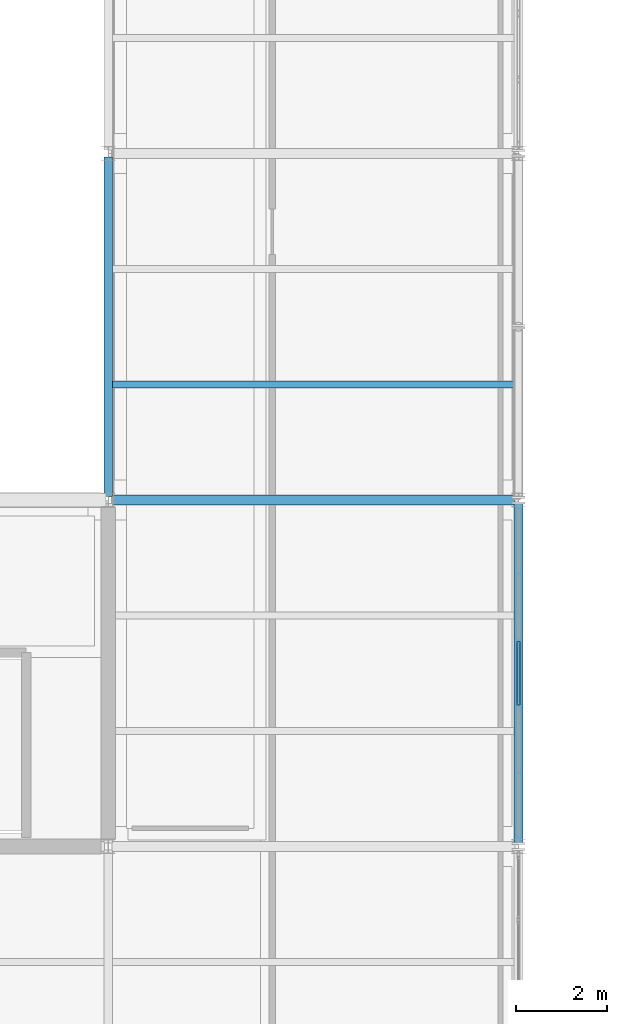
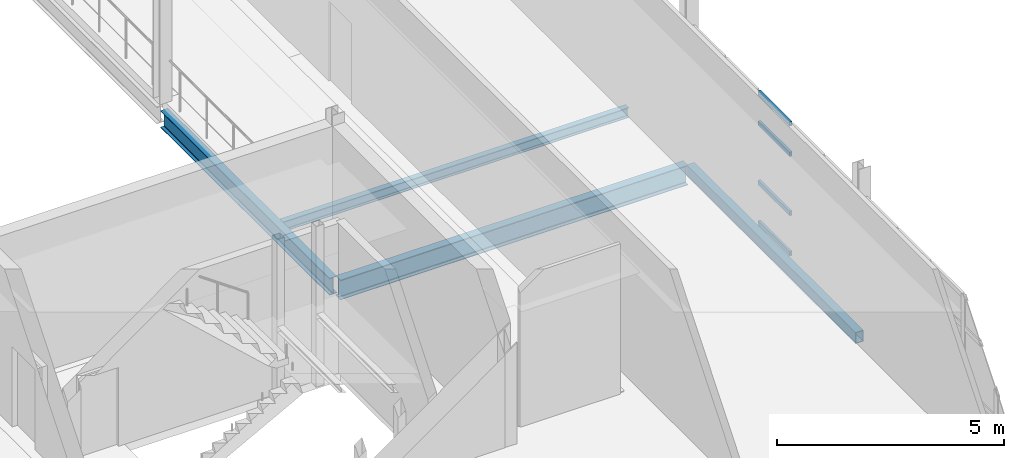
# One storey, part 114 of 166: 4 beams, 4 members, 1 element without a shape of its own.
"""IFC4 building model written with IfcOpenShell, lengths in metres."""

from ifc_helpers import new_model, si_unit, direction, frame, origin, origin_2d, place, context, subcontext, project, spatial, hollow_rectangle, i_section, extrude, material, material_profile, profile_set, type_object, element, aggregate, save


model = new_model("IFC4")

# Units and contexts
model_context = context("Model", 3, precision=1e-05, world=origin(), true_north=direction((0.0, 1.0)))
body_context = subcontext(model_context, "Body", "Model", "MODEL_VIEW")
ifc_project = project(units=[si_unit("LENGTHUNIT", "METRE"), si_unit("AREAUNIT", "SQUARE_METRE"), si_unit("VOLUMEUNIT", "CUBIC_METRE"), si_unit("PLANEANGLEUNIT", "RADIAN"), si_unit("MASSUNIT", "GRAM", prefix="KILO")], contexts=[model_context])

# Site, building, storey
site_placement = place(None, origin())
site = spatial("IfcSite", under=ifc_project, at=site_placement, CompositionType="ELEMENT")
building_placement = place(site_placement, origin())
building = spatial("IfcBuilding", under=site, at=building_placement, Name="Caisbarro Railhouse Central Library", CompositionType="ELEMENT")
storey_placement = place(building_placement, frame((0.0, 0.0, 9.360107421875)))
storey = spatial("IfcBuildingStorey", under=building, at=storey_placement, Name="L02", CompositionType="ELEMENT", Elevation=9.360107421875)

# Beams
ifc_material_1 = material(Name="Steel ASTM A572 Grade 50", Category="steel")
ifc_material_profile_1 = material_profile(ifc_material_1, i_section(OverallWidth=0.208984375, OverallDepth=0.532958984375, WebThickness=0.01025390625, FlangeThickness=0.015625, FilletRadius=0.02001953125, at=origin_2d()), Name="W530X92.0")
ifc_profile_set_1 = profile_set([ifc_material_profile_1], Name="Steel ASTM A572 Grade 50")
beam_type_1 = type_object("IfcBeamType", Name="BM-G06", PredefinedType="BEAM", material=ifc_profile_set_1)
beam_1_placement = place(storey_placement, frame((144.080078125, 76.0, -0.486572265625), z_axis=(1.0, 0.0, 0.0), x_axis=(0.0, 1.0, 0.0)))
element("IfcBeam", 1, at=beam_1_placement, inside=storey, type_object=beam_type_1, Name="G06 beam L02 #1487", PredefinedType="BEAM", context=body_context, shape_type="SweptSolid", body=[
    extrude(i_section(OverallWidth=0.208984375, OverallDepth=0.532958984375, WebThickness=0.01025390625, FlangeThickness=0.015625, FilletRadius=0.02001953125, at=origin_2d()), origin(), (0.0, 0.0, 1.0), 8.83984375),
])
ifc_material_profile_2 = material_profile(ifc_material_1, i_section(OverallWidth=0.18994140625, OverallDepth=0.45703125, WebThickness=0.009033203125, FlangeThickness=0.014404296875, FilletRadius=0.01806640625, at=origin_2d()), Name="W460X74.0")
ifc_profile_set_2 = profile_set([ifc_material_profile_2], Name="Steel ASTM A572 Grade 50")
beam_type_2 = type_object("IfcBeamType", Name="BM-G08", PredefinedType="BEAM", material=ifc_profile_set_2)
beam_2_placement = place(storey_placement, frame((144.0, 76.080078125, -0.448486328125), z_axis=(0.0, 1.0, 0.0), x_axis=(-1.0, 0.0, 0.0)))
element("IfcBeam", 2, at=beam_2_placement, inside=storey, type_object=beam_type_2, Name="G08 beam L02 #1527", PredefinedType="BEAM", context=body_context, shape_type="SweptSolid", body=[
    extrude(i_section(OverallWidth=0.18994140625, OverallDepth=0.45703125, WebThickness=0.009033203125, FlangeThickness=0.014404296875, FilletRadius=0.01806640625, at=origin_2d()), origin(), (0.0, 0.0, 1.0), 7.43994140625),
])
ifc_material_profile_3 = material_profile(ifc_material_1, i_section(OverallWidth=0.14794921875, OverallDepth=0.26611328125, WebThickness=0.007568359375, FlangeThickness=0.012939453125, FilletRadius=0.010009765625, at=origin_2d()), Name="W250X44.8")
ifc_profile_set_3 = profile_set([ifc_material_profile_3], Name="Steel ASTM A572 Grade 50")
beam_type_3 = type_object("IfcBeamType", Name="BM-J04", PredefinedType="JOIST", material=ifc_profile_set_3)
beam_3_placement = place(storey_placement, frame((144.094970703125, 78.533203125, -0.35302734375), z_axis=(1.0, 0.0, 0.0), x_axis=(0.0, 1.0, 0.0)))
element("IfcBeam", 3, at=beam_3_placement, inside=storey, type_object=beam_type_3, Name="J04 beam L02 #1573", PredefinedType="JOIST", context=body_context, shape_type="SweptSolid", body=[
    extrude(i_section(OverallWidth=0.14794921875, OverallDepth=0.26611328125, WebThickness=0.007568359375, FlangeThickness=0.012939453125, FilletRadius=0.010009765625, at=origin_2d()), origin(), (0.0, 0.0, 1.0), 8.804931640625),
])
ifc_material_profile_4 = material_profile(ifc_material_1, hollow_rectangle(XDim=0.199951171875, YDim=0.300048828125, WallThickness=0.012451171875, at=origin_2d()), Name="HSS300X200X12.5")
ifc_profile_set_4 = profile_set([ifc_material_profile_4], Name="Steel ASTM A572 Grade 50")
beam_type_4 = type_object("IfcBeamType", Name="BM-SP02", PredefinedType="SPANDREL", material=ifc_profile_set_4)
beam_4_placement = place(storey_placement, frame((153.0, 68.47998046875, -0.3701171875), z_axis=(0.0, 1.0, 0.0), x_axis=(-1.0, 0.0, 0.0)))
element("IfcBeam", 4, at=beam_4_placement, inside=storey, type_object=beam_type_4, Name="SP02 beam L02 #1533", PredefinedType="SPANDREL", context=body_context, shape_type="SweptSolid", body=[
    extrude(hollow_rectangle(XDim=0.199951171875, YDim=0.300048828125, WallThickness=0.012451171875, at=origin_2d()), origin(), (0.0, 0.0, 1.0), 7.43994140625),
])

# Curtain wall, members
ifc_material_2 = material(Name="Anodised architectural aluminium", Category="aluminium")
curtain_wall_type = type_object("IfcCurtainWallType", Name="CW-CW03", PredefinedType="NOTDEFINED", material=ifc_material_2)
curtain_wall_placement = place(storey_placement, origin())
curtain_wall = element("IfcCurtainWall", 5, at=curtain_wall_placement, inside=storey, type_object=curtain_wall_type, Name="CW03 curtain wall L02 #138", PredefinedType="NOTDEFINED")
ifc_material_profile_5 = material_profile(ifc_material_2, hollow_rectangle(XDim=0.06494140625, YDim=0.1201171875, WallThickness=0.00341796875, at=origin_2d()), Name="ALU-TRN-65X120")
ifc_profile_set_5 = profile_set([ifc_material_profile_5], Name="Anodised architectural aluminium")
member_type = type_object("IfcMemberType", Name="CWT-T02", PredefinedType="USERDEFINED", material=ifc_profile_set_5)
member_1_placement = place(storey_placement, frame((153.0, 71.50439453125, 0.032470703125), z_axis=(0.0, 1.0, 0.0), x_axis=(-1.0, 0.0, 0.0)))
member_1 = element("IfcMember", 6, at=member_1_placement, type_object=member_type, Name="CW03 transom 3.1", ObjectType="TRANSOM", PredefinedType="USERDEFINED", context=body_context, shape_type="SweptSolid", body=[
    extrude(hollow_rectangle(XDim=0.06494140625, YDim=0.1201171875, WallThickness=0.00341796875, at=origin_2d()), origin(), (0.0, 0.0, 1.0), 1.39111328125),
])
member_2_placement = place(storey_placement, frame((153.0, 71.50439453125, 1.119873046875), z_axis=(0.0, 1.0, 0.0), x_axis=(-1.0, 0.0, 0.0)))
member_2 = element("IfcMember", 7, at=member_2_placement, type_object=member_type, Name="CW03 transom 3.2", ObjectType="TRANSOM", PredefinedType="USERDEFINED", context=body_context, shape_type="SweptSolid", body=[
    extrude(hollow_rectangle(XDim=0.06494140625, YDim=0.1201171875, WallThickness=0.00341796875, at=origin_2d()), origin(), (0.0, 0.0, 1.0), 1.39111328125),
])
member_3_placement = place(storey_placement, frame((153.0, 71.50439453125, 2.7099609375), z_axis=(0.0, 1.0, 0.0), x_axis=(-1.0, 0.0, 0.0)))
member_3 = element("IfcMember", 8, at=member_3_placement, type_object=member_type, Name="CW03 transom 3.3", ObjectType="TRANSOM", PredefinedType="USERDEFINED", context=body_context, shape_type="SweptSolid", body=[
    extrude(hollow_rectangle(XDim=0.06494140625, YDim=0.1201171875, WallThickness=0.00341796875, at=origin_2d()), origin(), (0.0, 0.0, 1.0), 1.39111328125),
])
member_4_placement = place(storey_placement, frame((153.0, 71.50439453125, 3.52734375), z_axis=(0.0, 1.0, 0.0), x_axis=(-1.0, 0.0, 0.0)))
member_4 = element("IfcMember", 9, at=member_4_placement, type_object=member_type, Name="CW03 transom 3.4", ObjectType="TRANSOM", PredefinedType="USERDEFINED", context=body_context, shape_type="SweptSolid", body=[
    extrude(hollow_rectangle(XDim=0.06494140625, YDim=0.1201171875, WallThickness=0.00341796875, at=origin_2d()), origin(), (0.0, 0.0, 1.0), 1.39111328125),
])
aggregate(curtain_wall, [member_1, member_2, member_3, member_4])

save(model, "model.ifc")
